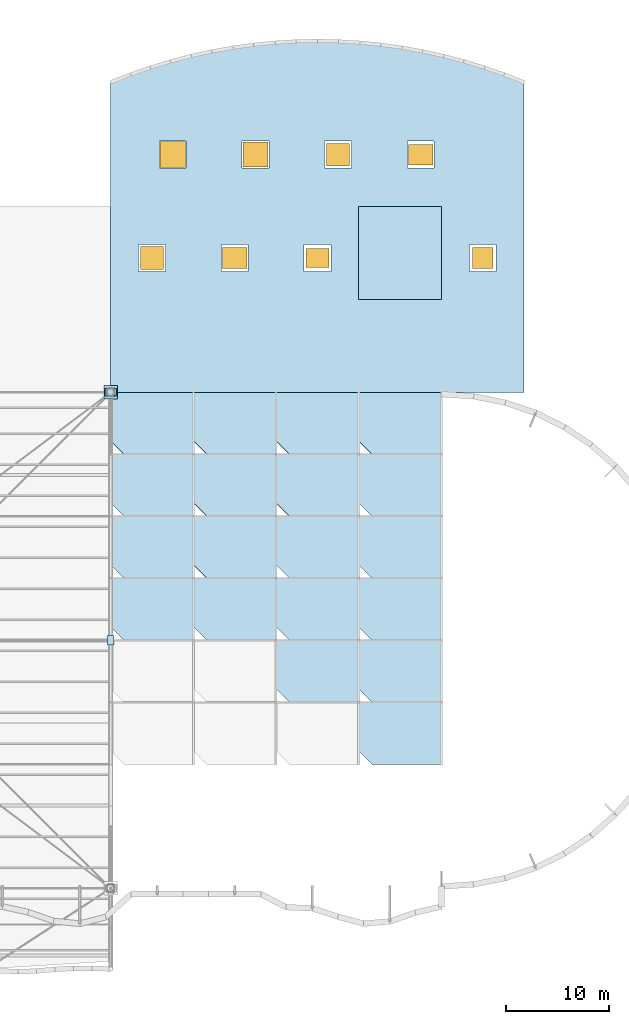
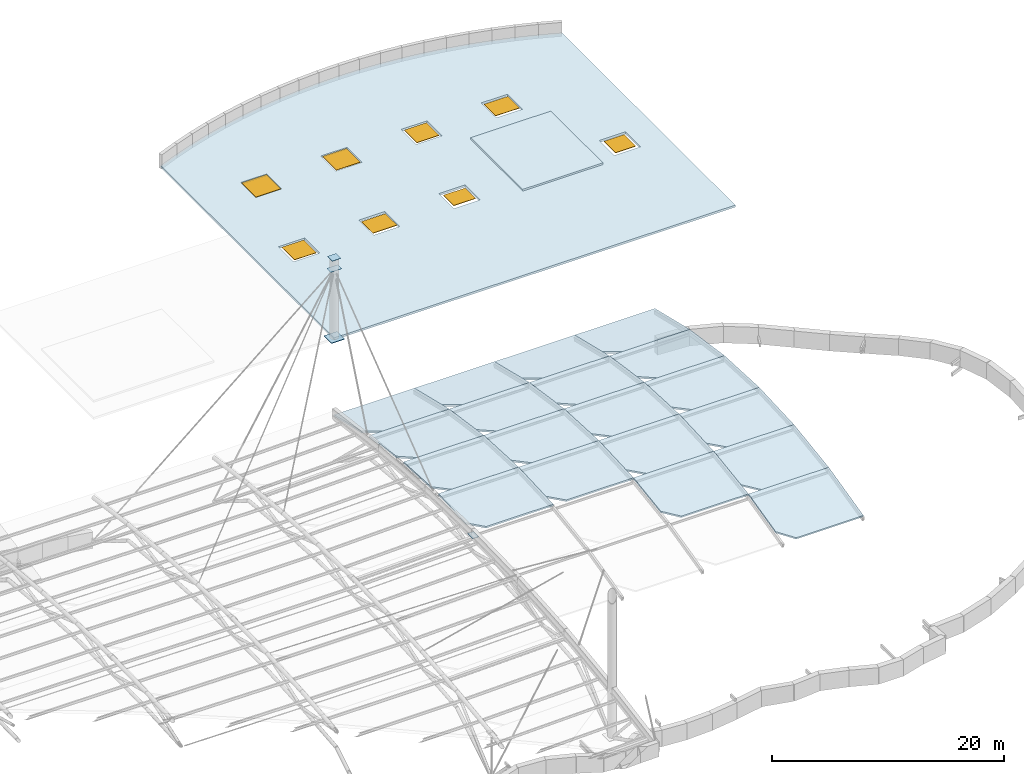
"""IFC4 building model written with IfcOpenShell, lengths in metres."""

from ifc_helpers import new_model, si_unit, direction, frame, origin, origin_with_axes, origin_2d, place, context, subcontext, project, spatial, polyline, rectangle, outline, extrude, material, layer, layer_set, type_object, element, fill, save


model = new_model("IFC4")

# Units and contexts
model_context = context("Model", 3, precision=1e-05, world=origin(), true_north=direction((0.0, 1.0)))
body_context = subcontext(model_context, "Body", "Model", "MODEL_VIEW")
ifc_project = project(units=[si_unit("LENGTHUNIT", "METRE"), si_unit("AREAUNIT", "SQUARE_METRE"), si_unit("VOLUMEUNIT", "CUBIC_METRE"), si_unit("PLANEANGLEUNIT", "RADIAN"), si_unit("MASSUNIT", "GRAM", prefix="KILO")], contexts=[model_context])

# Site, building, storey
site_placement = place(None, origin())
site = spatial("IfcSite", under=ifc_project, at=site_placement, CompositionType="ELEMENT")
building_placement = place(site_placement, origin())
building = spatial("IfcBuilding", under=site, at=building_placement, Name="Keelwater Ferry Terminal", CompositionType="ELEMENT")
storey_1_placement = place(building_placement, frame((0.0, 0.0, 27.89990234375)))
storey_1 = spatial("IfcBuildingStorey", under=building, at=storey_1_placement, Name="RF", CompositionType="ELEMENT", Elevation=27.89990234375)

# Plates
ifc_material_1 = material(Name="Steel S355", Category="steel")
ifc_layer_1 = layer(ifc_material_1, 0.06494140625)
ifc_layer_set_1 = layer_set([ifc_layer_1], Name="Steel S355")
plate_type_1 = type_object("IfcPlateType", Name="BP1 1300x1300x65", PredefinedType="USERDEFINED", material=ifc_layer_set_1)
plate_1_placement = place(storey_1_placement, frame((132.0, 90.0, -0.00048828125), z_axis=(0.0, 0.0, 1.0), x_axis=(1.0, 0.0, 0.0)))
element("IfcPlate", 1, at=plate_1_placement, inside=storey_1, type_object=plate_type_1, Name="Roof Mast ML4 Base Plate", ObjectType="GUSSET PLATE", PredefinedType="USERDEFINED", context=body_context, shape_type="SweptSolid", body=[
    extrude(rectangle(XDim=1.300048828125, YDim=1.300048828125, at=origin_2d()), origin(), (0.0, 0.0, 1.0), 0.06494140625),
])
ifc_material_2 = material(Name="Steel S355", Category="steel")
ifc_layer_2 = layer(ifc_material_2, 0.034912109375)
ifc_layer_set_2 = layer_set([ifc_layer_2], Name="Steel S355")
plate_type_2 = type_object("IfcPlateType", Name="CP1 840x840x35", PredefinedType="USERDEFINED", material=ifc_layer_set_2)
plate_2_placement = place(storey_1_placement, frame((132.0, 90.0, 8.46484375), z_axis=(0.0, 0.0, 1.0), x_axis=(1.0, 0.0, 0.0)))
element("IfcPlate", 2, at=plate_2_placement, inside=storey_1, type_object=plate_type_2, Name="Roof Mast ML4 Top Cap Plate", ObjectType="GUSSET PLATE", PredefinedType="USERDEFINED", context=body_context, shape_type="SweptSolid", body=[
    extrude(rectangle(XDim=0.840087890625, YDim=0.840087890625, at=origin_2d()), origin(), (0.0, 0.0, 1.0), 0.034912109375),
])
ifc_material_3 = material(Name="Steel S355", Category="steel")
ifc_layer_3 = layer(ifc_material_3, 0.030029296875)
ifc_layer_set_3 = layer_set([ifc_layer_3], Name="Steel S355")
plate_type_3 = type_object("IfcPlateType", Name="GP1 900x600x30", PredefinedType="USERDEFINED", material=ifc_layer_set_3)
plate_3_placement = place(storey_1_placement, frame((132.0, 66.0, -6.26513671875), z_axis=(0.0, 0.0, 1.0), x_axis=(0.0, 1.0, 0.0)))
element("IfcPlate", 3, at=plate_3_placement, inside=storey_1, type_object=plate_type_3, Name="Connection Gusset Plate 29", ObjectType="GUSSET PLATE", PredefinedType="USERDEFINED", context=body_context, shape_type="SweptSolid", body=[
    extrude(rectangle(XDim=0.89990234375, YDim=0.60009765625, at=origin_2d()), origin(), (0.0, 0.0, 1.0), 0.030029296875),
])
ifc_material_4 = material(Name="Steel S460", Category="steel")
ifc_layer_4 = layer(ifc_material_4, 0.034912109375)
ifc_layer_set_4 = layer_set([ifc_layer_4], Name="Steel S460")
plate_type_4 = type_object("IfcPlateType", Name="GP6 1100x700x35", PredefinedType="USERDEFINED", material=ifc_layer_set_4)
plate_4_placement = place(storey_1_placement, frame((132.0, 90.0, 7.28271484375), z_axis=(0.0, 0.0, 1.0), x_axis=(1.0, 0.0, 0.0)))
element("IfcPlate", 4, at=plate_4_placement, inside=storey_1, type_object=plate_type_4, Name="Roof Mast ML4 Stay Cable Collar Plate", ObjectType="GUSSET PLATE", PredefinedType="USERDEFINED", context=body_context, shape_type="SweptSolid", body=[
    extrude(rectangle(XDim=1.10009765625, YDim=0.699951171875, at=origin_2d()), origin(), (0.0, 0.0, 1.0), 0.034912109375),
])

# Slabs
ifc_material_5 = material(Name="Concrete C40/50", Category="concrete")
ifc_layer_5 = layer(ifc_material_5, 0.179931640625)
ifc_layer_set_5 = layer_set([ifc_layer_5], Name="Concrete C40/50")
slab_type_1 = type_object("IfcSlabType", Name="SL-R180 Roof Slab 180", PredefinedType="ROOF", material=ifc_layer_set_5)
slab_1_placement = place(storey_1_placement, frame((0.0, 0.0, 1.6201171875)))
element("IfcSlab", 5, at=slab_1_placement, inside=storey_1, type_object=slab_type_1, Name="Core C3 Lift Overrun Roof SL-RF-061", PredefinedType="ROOF", context=body_context, shape_type="SweptSolid", body=[
    extrude(outline(polyline([(156.0, 99.0), (164.0, 99.0), (164.0, 108.0), (156.0, 108.0), (156.0, 99.0)])), origin(), (0.0, 0.0, 1.0), 0.179931640625),
])
slab_2_placement = place(storey_1_placement, frame((133.2999966496989, 66.00865769221801, -5.968791669312662), z_axis=(1.861278395913996e-05, -0.048098290100079086, 0.9988426072925669), x_axis=(0.9999999998267821, 8.952430825918844e-07, -1.859124166194096e-05)))
element("IfcSlab", 6, at=slab_2_placement, inside=storey_1, type_object=slab_type_1, Name="V2 Vaulted Gallery Roof Panel SL-RF-122", PredefinedType="ROOF", context=body_context, shape_type="SweptSolid", body=[
    extrude(outline(polyline([(0.0, 0.0), (6.699999998839429, 7.093900933254753e-22), (6.699999997429084, 6.0069560506348365), (-1.300000001185173, 6.0069560506348365), (-1.3000000072070454, 1.3015255819820866), (0.0, 0.0)])), origin_with_axes(), (0.0, 0.0, 1.0), 0.18),
])
slab_3_placement = place(storey_1_placement, frame((133.30000335030113, 71.99134230778199, -5.679791669312664), z_axis=(-1.8612783959143527e-05, 0.04809829010007909, 0.9988426072925669), x_axis=(0.9999999998267821, 8.952430825920561e-07, 1.859124166194452e-05)))
element("IfcSlab", 7, at=slab_3_placement, inside=storey_1, type_object=slab_type_1, Name="V2 Vaulted Gallery Roof Panel SL-RF-123", PredefinedType="ROOF", context=body_context, shape_type="SweptSolid", body=[
    extrude(outline(polyline([(0.0, 0.0), (6.699999998839429, -7.093900933254753e-22), (6.699999997429084, 6.0069560506348365), (-1.300000001185173, 6.0069560506348365), (-1.3000000072070454, 1.3015255819820866), (0.0, 0.0)])), origin_with_axes(), (0.0, 0.0, 1.0), 0.18),
])
slab_4_placement = place(storey_1_placement, frame((133.3000012990156, 77.97425823118917, -5.967149828337838), z_axis=(-7.2167533729483795e-06, 0.1430098267268767, 0.9897212685435568), x_axis=(0.9999999999739593, 1.0320666494228266e-06, 7.142574303226461e-06)))
element("IfcSlab", 8, at=slab_4_placement, inside=storey_1, type_object=slab_type_1, Name="V2 Vaulted Gallery Roof Panel SL-RF-124", PredefinedType="ROOF", context=body_context, shape_type="SweptSolid", body=[
    extrude(outline(polyline([(0.0, 0.0), (6.699999999825516, 0.0), (6.699999999613492, 6.062317131191411), (-1.3000000001781826, 6.062317131191411), (-1.3000000010834831, 1.3135234965654794), (0.0, 0.0)])), origin_with_axes(), (0.0, 0.0, 1.0), 0.18),
])
slab_5_placement = place(storey_1_placement, frame((133.3000011342869, 83.95788328969783, -6.831003379144622), z_axis=(-6.301593770838212e-06, 0.23398172390090066, 0.9722409952479131), x_axis=(0.999999999980145, 1.4744577738531776e-06, 6.126667799529439e-06)))
element("IfcSlab", 9, at=slab_5_placement, inside=storey_1, type_object=slab_type_1, Name="V2 Vaulted Gallery Roof Panel SL-RF-125", PredefinedType="ROOF", context=body_context, shape_type="SweptSolid", body=[
    extrude(outline(polyline([(0.0, 0.0), (6.69999999986696, 0.0), (6.6999999997053, 6.1713155809229105), (-1.3000000001358594, 6.1713155809229105), (-1.300000000826115, 1.337149573429815), (0.0, 0.0)])), origin_with_axes(), (0.0, 0.0, 1.0), 0.18),
])
slab_6_placement = place(storey_1_placement, frame((141.2999966496989, 66.00865769221801, -5.968791669312662), z_axis=(1.861278395913996e-05, -0.048098290100079086, 0.9988426072925669), x_axis=(0.9999999998267821, 8.952430825918844e-07, -1.859124166194096e-05)))
element("IfcSlab", 10, at=slab_6_placement, inside=storey_1, type_object=slab_type_1, Name="V2 Vaulted Gallery Roof Panel SL-RF-128", PredefinedType="ROOF", context=body_context, shape_type="SweptSolid", body=[
    extrude(outline(polyline([(0.0, 0.0), (6.699999998839429, 7.093900933254753e-22), (6.699999997429084, 6.0069560506348365), (-1.300000001185173, 6.0069560506348365), (-1.3000000072070454, 1.3015255819820866), (0.0, 0.0)])), origin_with_axes(), (0.0, 0.0, 1.0), 0.18),
])
slab_7_placement = place(storey_1_placement, frame((141.30000335030113, 71.99134230778199, -5.679791669312664), z_axis=(-1.8612783959143527e-05, 0.04809829010007909, 0.9988426072925669), x_axis=(0.9999999998267821, 8.952430825920561e-07, 1.859124166194452e-05)))
element("IfcSlab", 11, at=slab_7_placement, inside=storey_1, type_object=slab_type_1, Name="V2 Vaulted Gallery Roof Panel SL-RF-129", PredefinedType="ROOF", context=body_context, shape_type="SweptSolid", body=[
    extrude(outline(polyline([(0.0, 0.0), (6.699999998839429, -7.093900933254753e-22), (6.699999997429084, 6.0069560506348365), (-1.300000001185173, 6.0069560506348365), (-1.3000000072070454, 1.3015255819820866), (0.0, 0.0)])), origin_with_axes(), (0.0, 0.0, 1.0), 0.18),
])
slab_8_placement = place(storey_1_placement, frame((141.3000012990156, 77.97425823118917, -5.967149828337838), z_axis=(-7.2167533729483795e-06, 0.1430098267268767, 0.9897212685435568), x_axis=(0.9999999999739593, 1.0320666494228266e-06, 7.142574303226461e-06)))
element("IfcSlab", 12, at=slab_8_placement, inside=storey_1, type_object=slab_type_1, Name="V2 Vaulted Gallery Roof Panel SL-RF-130", PredefinedType="ROOF", context=body_context, shape_type="SweptSolid", body=[
    extrude(outline(polyline([(0.0, 0.0), (6.699999999825516, 0.0), (6.699999999613492, 6.062317131191411), (-1.3000000001781826, 6.062317131191411), (-1.3000000010834831, 1.3135234965654794), (0.0, 0.0)])), origin_with_axes(), (0.0, 0.0, 1.0), 0.18),
])
slab_9_placement = place(storey_1_placement, frame((141.3000011342869, 83.95788328969783, -6.831003379144622), z_axis=(-6.301593770838212e-06, 0.23398172390090066, 0.9722409952479131), x_axis=(0.999999999980145, 1.4744577738531776e-06, 6.126667799529439e-06)))
element("IfcSlab", 13, at=slab_9_placement, inside=storey_1, type_object=slab_type_1, Name="V2 Vaulted Gallery Roof Panel SL-RF-131", PredefinedType="ROOF", context=body_context, shape_type="SweptSolid", body=[
    extrude(outline(polyline([(0.0, 0.0), (6.69999999986696, 0.0), (6.6999999997053, 6.1713155809229105), (-1.3000000001358594, 6.1713155809229105), (-1.300000000826115, 1.337149573429815), (0.0, 0.0)])), origin_with_axes(), (0.0, 0.0, 1.0), 0.18),
])
slab_10_placement = place(storey_1_placement, frame((149.29999870098442, 60.02574176881084, -6.834149828337839), z_axis=(7.216753372769572e-06, -0.14300982672687687, 0.9897212685435568), x_axis=(0.9999999999739593, 1.0320666493972566e-06, -7.142574303049491e-06)))
element("IfcSlab", 14, at=slab_10_placement, inside=storey_1, type_object=slab_type_1, Name="V2 Vaulted Gallery Roof Panel SL-RF-133", PredefinedType="ROOF", context=body_context, shape_type="SweptSolid", body=[
    extrude(outline(polyline([(0.0, 0.0), (6.699999999825516, 0.0), (6.699999999613491, 6.062317131191412), (-1.3000000001781828, 6.062317131191412), (-1.3000000010834831, 1.313523496565479), (0.0, 0.0)])), origin_with_axes(), (0.0, 0.0, 1.0), 0.18),
])
slab_11_placement = place(storey_1_placement, frame((149.2999966496989, 66.00865769221801, -5.968791669312662), z_axis=(1.861278395913996e-05, -0.048098290100079086, 0.9988426072925669), x_axis=(0.9999999998267821, 8.952430825918844e-07, -1.859124166194096e-05)))
element("IfcSlab", 15, at=slab_11_placement, inside=storey_1, type_object=slab_type_1, Name="V2 Vaulted Gallery Roof Panel SL-RF-134", PredefinedType="ROOF", context=body_context, shape_type="SweptSolid", body=[
    extrude(outline(polyline([(0.0, 0.0), (6.699999998839429, 7.093900933254753e-22), (6.699999997429084, 6.0069560506348365), (-1.300000001185173, 6.0069560506348365), (-1.3000000072070454, 1.3015255819820866), (0.0, 0.0)])), origin_with_axes(), (0.0, 0.0, 1.0), 0.18),
])
slab_12_placement = place(storey_1_placement, frame((149.30000335030113, 71.99134230778199, -5.679791669312664), z_axis=(-1.8612783959143527e-05, 0.04809829010007909, 0.9988426072925669), x_axis=(0.9999999998267821, 8.952430825920561e-07, 1.859124166194452e-05)))
element("IfcSlab", 16, at=slab_12_placement, inside=storey_1, type_object=slab_type_1, Name="V2 Vaulted Gallery Roof Panel SL-RF-135", PredefinedType="ROOF", context=body_context, shape_type="SweptSolid", body=[
    extrude(outline(polyline([(0.0, 0.0), (6.699999998839429, -7.093900933254753e-22), (6.699999997429084, 6.0069560506348365), (-1.300000001185173, 6.0069560506348365), (-1.3000000072070454, 1.3015255819820866), (0.0, 0.0)])), origin_with_axes(), (0.0, 0.0, 1.0), 0.18),
])
slab_13_placement = place(storey_1_placement, frame((149.3000012990156, 77.97425823118917, -5.967149828337838), z_axis=(-7.2167533729483795e-06, 0.1430098267268767, 0.9897212685435568), x_axis=(0.9999999999739593, 1.0320666494228266e-06, 7.142574303226461e-06)))
element("IfcSlab", 17, at=slab_13_placement, inside=storey_1, type_object=slab_type_1, Name="V2 Vaulted Gallery Roof Panel SL-RF-136", PredefinedType="ROOF", context=body_context, shape_type="SweptSolid", body=[
    extrude(outline(polyline([(0.0, 0.0), (6.699999999825516, 0.0), (6.699999999613492, 6.062317131191411), (-1.3000000001781826, 6.062317131191411), (-1.3000000010834831, 1.3135234965654794), (0.0, 0.0)])), origin_with_axes(), (0.0, 0.0, 1.0), 0.18),
])
slab_14_placement = place(storey_1_placement, frame((149.3000011342869, 83.95788328969783, -6.831003379144622), z_axis=(-6.301593770838212e-06, 0.23398172390090066, 0.9722409952479131), x_axis=(0.999999999980145, 1.4744577738531776e-06, 6.126667799529439e-06)))
element("IfcSlab", 18, at=slab_14_placement, inside=storey_1, type_object=slab_type_1, Name="V2 Vaulted Gallery Roof Panel SL-RF-137", PredefinedType="ROOF", context=body_context, shape_type="SweptSolid", body=[
    extrude(outline(polyline([(0.0, 0.0), (6.69999999986696, 0.0), (6.6999999997053, 6.1713155809229105), (-1.3000000001358594, 6.1713155809229105), (-1.300000000826115, 1.337149573429815), (0.0, 0.0)])), origin_with_axes(), (0.0, 0.0, 1.0), 0.18),
])
slab_15_placement = place(storey_1_placement, frame((157.29999886571312, 54.04211671030216, -8.275003379144621), z_axis=(6.301593770854514e-06, -0.2339817239009008, 0.9722409952479132), x_axis=(0.999999999980145, 1.4744577738569928e-06, -6.126667799545288e-06)))
element("IfcSlab", 19, at=slab_15_placement, inside=storey_1, type_object=slab_type_1, Name="V2 Vaulted Gallery Roof Panel SL-RF-138", PredefinedType="ROOF", context=body_context, shape_type="SweptSolid", body=[
    extrude(outline(polyline([(0.0, 0.0), (6.69999999986696, -1.4187801866509507e-21), (6.6999999997053, 6.171315580922911), (-1.3000000001358594, 6.171315580922911), (-1.300000000826115, 1.337149573429815), (0.0, 0.0)])), origin_with_axes(), (0.0, 0.0, 1.0), 0.18),
])
slab_16_placement = place(storey_1_placement, frame((157.29999870098442, 60.02574176881084, -6.834149828337839), z_axis=(7.216753372769572e-06, -0.14300982672687687, 0.9897212685435568), x_axis=(0.9999999999739593, 1.0320666493972566e-06, -7.142574303049491e-06)))
element("IfcSlab", 20, at=slab_16_placement, inside=storey_1, type_object=slab_type_1, Name="V2 Vaulted Gallery Roof Panel SL-RF-139", PredefinedType="ROOF", context=body_context, shape_type="SweptSolid", body=[
    extrude(outline(polyline([(0.0, 0.0), (6.699999999825516, 0.0), (6.699999999613491, 6.062317131191412), (-1.3000000001781828, 6.062317131191412), (-1.3000000010834831, 1.313523496565479), (0.0, 0.0)])), origin_with_axes(), (0.0, 0.0, 1.0), 0.18),
])
slab_17_placement = place(storey_1_placement, frame((157.2999966496989, 66.00865769221801, -5.968791669312662), z_axis=(1.861278395913996e-05, -0.048098290100079086, 0.9988426072925669), x_axis=(0.9999999998267821, 8.952430825918844e-07, -1.859124166194096e-05)))
element("IfcSlab", 21, at=slab_17_placement, inside=storey_1, type_object=slab_type_1, Name="V2 Vaulted Gallery Roof Panel SL-RF-140", PredefinedType="ROOF", context=body_context, shape_type="SweptSolid", body=[
    extrude(outline(polyline([(0.0, 0.0), (6.699999998839429, 7.093900933254753e-22), (6.699999997429084, 6.0069560506348365), (-1.300000001185173, 6.0069560506348365), (-1.3000000072070454, 1.3015255819820866), (0.0, 0.0)])), origin_with_axes(), (0.0, 0.0, 1.0), 0.18),
])
slab_18_placement = place(storey_1_placement, frame((157.30000335030113, 71.99134230778199, -5.679791669312664), z_axis=(-1.8612783959143527e-05, 0.04809829010007909, 0.9988426072925669), x_axis=(0.9999999998267821, 8.952430825920561e-07, 1.859124166194452e-05)))
element("IfcSlab", 22, at=slab_18_placement, inside=storey_1, type_object=slab_type_1, Name="V2 Vaulted Gallery Roof Panel SL-RF-141", PredefinedType="ROOF", context=body_context, shape_type="SweptSolid", body=[
    extrude(outline(polyline([(0.0, 0.0), (6.699999998839429, -7.093900933254753e-22), (6.699999997429084, 6.0069560506348365), (-1.300000001185173, 6.0069560506348365), (-1.3000000072070454, 1.3015255819820866), (0.0, 0.0)])), origin_with_axes(), (0.0, 0.0, 1.0), 0.18),
])
slab_19_placement = place(storey_1_placement, frame((157.3000012990156, 77.97425823118917, -5.967149828337838), z_axis=(-7.2167533729483795e-06, 0.1430098267268767, 0.9897212685435568), x_axis=(0.9999999999739593, 1.0320666494228266e-06, 7.142574303226461e-06)))
element("IfcSlab", 23, at=slab_19_placement, inside=storey_1, type_object=slab_type_1, Name="V2 Vaulted Gallery Roof Panel SL-RF-142", PredefinedType="ROOF", context=body_context, shape_type="SweptSolid", body=[
    extrude(outline(polyline([(0.0, 0.0), (6.699999999825516, 0.0), (6.699999999613492, 6.062317131191411), (-1.3000000001781826, 6.062317131191411), (-1.3000000010834831, 1.3135234965654794), (0.0, 0.0)])), origin_with_axes(), (0.0, 0.0, 1.0), 0.18),
])
slab_20_placement = place(storey_1_placement, frame((157.3000011342869, 83.95788328969783, -6.831003379144622), z_axis=(-6.301593770838212e-06, 0.23398172390090066, 0.9722409952479131), x_axis=(0.999999999980145, 1.4744577738531776e-06, 6.126667799529439e-06)))
element("IfcSlab", 24, at=slab_20_placement, inside=storey_1, type_object=slab_type_1, Name="V2 Vaulted Gallery Roof Panel SL-RF-143", PredefinedType="ROOF", context=body_context, shape_type="SweptSolid", body=[
    extrude(outline(polyline([(0.0, 0.0), (6.69999999986696, 0.0), (6.6999999997053, 6.1713155809229105), (-1.3000000001358594, 6.1713155809229105), (-1.300000000826115, 1.337149573429815), (0.0, 0.0)])), origin_with_axes(), (0.0, 0.0, 1.0), 0.18),
])

# Slab, openings
ifc_material_6 = material(Name="Concrete C40/50", Category="concrete")
ifc_layer_6 = layer(ifc_material_6, 0.219970703125)
ifc_layer_set_6 = layer_set([ifc_layer_6], Name="Concrete C40/50")
slab_type_2 = type_object("IfcSlabType", Name="SL-R220 Roof Slab 220", PredefinedType="ROOF", material=ifc_layer_set_6)
slab_21_placement = place(storey_1_placement, frame((0.0, 0.0, -0.219970703125)))
slab_21 = element("IfcSlab", 25, at=slab_21_placement, inside=storey_1, type_object=slab_type_2, Name="V5 Harbour Master Crown Roof Slab SL-RF-059", PredefinedType="ROOF", context=body_context, shape_type="SweptSolid", body=[
    extrude(outline(polyline([(132.0, 90.0), (172.0, 90.0), (172.0, 120.0), (170.090087890625, 120.751953125), (168.152099609375, 121.427978515625), (166.18798828125, 122.027099609375), (164.202880859375, 122.548095703125), (162.197998046875, 122.989990234375), (160.177978515625, 123.35302734375), (158.14404296875, 123.635986328125), (156.10205078125, 123.837890625), (154.052001953125, 123.958984375), (152.0, 124.0), (149.947998046875, 123.958984375), (147.89794921875, 123.837890625), (145.85595703125, 123.635986328125), (143.822021484375, 123.35302734375), (141.802001953125, 122.989990234375), (139.797119140625, 122.548095703125), (137.81201171875, 122.027099609375), (135.847900390625, 121.427978515625), (133.909912109375, 120.751953125), (132.0, 120.0), (132.0, 90.0)]), holes=[polyline([(134.699951171875, 101.699951171875), (137.300048828125, 101.699951171875), (137.300048828125, 104.300048828125), (134.699951171875, 104.300048828125), (134.699951171875, 101.699951171875)]), polyline([(142.699951171875, 101.699951171875), (145.300048828125, 101.699951171875), (145.300048828125, 104.300048828125), (142.699951171875, 104.300048828125), (142.699951171875, 101.699951171875)]), polyline([(150.699951171875, 101.699951171875), (153.300048828125, 101.699951171875), (153.300048828125, 104.300048828125), (150.699951171875, 104.300048828125), (150.699951171875, 101.699951171875)]), polyline([(166.699951171875, 101.699951171875), (169.300048828125, 101.699951171875), (169.300048828125, 104.300048828125), (166.699951171875, 104.300048828125), (166.699951171875, 101.699951171875)]), polyline([(136.699951171875, 111.699951171875), (139.300048828125, 111.699951171875), (139.300048828125, 114.300048828125), (136.699951171875, 114.300048828125), (136.699951171875, 111.699951171875)]), polyline([(144.699951171875, 111.699951171875), (147.300048828125, 111.699951171875), (147.300048828125, 114.300048828125), (144.699951171875, 114.300048828125), (144.699951171875, 111.699951171875)]), polyline([(152.699951171875, 111.699951171875), (155.300048828125, 111.699951171875), (155.300048828125, 114.300048828125), (152.699951171875, 114.300048828125), (152.699951171875, 111.699951171875)]), polyline([(160.699951171875, 111.699951171875), (163.300048828125, 111.699951171875), (163.300048828125, 114.300048828125), (160.699951171875, 114.300048828125), (160.699951171875, 111.699951171875)])]), origin(), (0.0, 0.0, 1.0), 0.219970703125),
])
opening_1_placement = place(slab_21_placement, frame((136.0, 103.0, 0.0)))
opening_1 = element("IfcOpeningElement", 26, at=opening_1_placement, cuts=slab_21, Name="Opening SK-03", PredefinedType="OPENING", context=body_context, shape_type="SweptSolid", body=[
    extrude(rectangle(XDim=2.199951171875, YDim=2.199951171875, at=origin_2d()), origin(), (0.0, 0.0, 1.0), 0.219970703125),
])
opening_2_placement = place(slab_21_placement, frame((144.0, 103.0, 0.0)))
opening_2 = element("IfcOpeningElement", 27, at=opening_2_placement, cuts=slab_21, Name="Opening SK-04", PredefinedType="OPENING", context=body_context, shape_type="SweptSolid", body=[
    extrude(rectangle(XDim=2.39990234375, YDim=2.0, at=origin_2d()), origin(), (0.0, 0.0, 1.0), 0.219970703125),
])
opening_3_placement = place(slab_21_placement, frame((152.0, 103.0, 0.0)))
opening_3 = element("IfcOpeningElement", 28, at=opening_3_placement, cuts=slab_21, Name="Opening SK-05", PredefinedType="OPENING", context=body_context, shape_type="SweptSolid", body=[
    extrude(rectangle(XDim=2.199951171875, YDim=1.800048828125, at=origin_2d()), origin(), (0.0, 0.0, 1.0), 0.219970703125),
])
opening_4_placement = place(slab_21_placement, frame((168.0, 103.0, 0.0)))
opening_4 = element("IfcOpeningElement", 29, at=opening_4_placement, cuts=slab_21, Name="Opening SK-06", PredefinedType="OPENING", context=body_context, shape_type="SweptSolid", body=[
    extrude(rectangle(XDim=2.0, YDim=2.0, at=origin_2d()), origin(), (0.0, 0.0, 1.0), 0.219970703125),
])
opening_5_placement = place(slab_21_placement, frame((138.0, 113.0, 0.0)))
opening_5 = element("IfcOpeningElement", 30, at=opening_5_placement, cuts=slab_21, Name="Opening SK-01", PredefinedType="OPENING", context=body_context, shape_type="SweptSolid", body=[
    extrude(rectangle(XDim=2.5, YDim=2.5, at=origin_2d()), origin(), (0.0, 0.0, 1.0), 0.219970703125),
])
opening_6_placement = place(slab_21_placement, frame((146.0, 113.0, 0.0)))
opening_6 = element("IfcOpeningElement", 31, at=opening_6_placement, cuts=slab_21, Name="Opening SK-02", PredefinedType="OPENING", context=body_context, shape_type="SweptSolid", body=[
    extrude(rectangle(XDim=2.39990234375, YDim=2.39990234375, at=origin_2d()), origin(), (0.0, 0.0, 1.0), 0.219970703125),
])
opening_7_placement = place(slab_21_placement, frame((154.0, 113.0, 0.0)))
opening_7 = element("IfcOpeningElement", 32, at=opening_7_placement, cuts=slab_21, Name="Opening SK-03", PredefinedType="OPENING", context=body_context, shape_type="SweptSolid", body=[
    extrude(rectangle(XDim=2.199951171875, YDim=2.199951171875, at=origin_2d()), origin(), (0.0, 0.0, 1.0), 0.219970703125),
])
opening_8_placement = place(slab_21_placement, frame((162.0, 113.0, 0.0)))
opening_8 = element("IfcOpeningElement", 33, at=opening_8_placement, cuts=slab_21, Name="Opening SK-04", PredefinedType="OPENING", context=body_context, shape_type="SweptSolid", body=[
    extrude(rectangle(XDim=2.39990234375, YDim=2.0, at=origin_2d()), origin(), (0.0, 0.0, 1.0), 0.219970703125),
])

# Storey
storey_2_placement = place(building_placement, frame((0.0, 0.0, 23.699951171875)))
storey_2 = spatial("IfcBuildingStorey", under=building, at=storey_2_placement, Name="L05", CompositionType="ELEMENT", Elevation=23.699951171875)

# Window
ifc_material_7 = material(Name="Triple laminated safety skylight glass", Category="glass")
window_type_1 = type_object("IfcWindowType", Name="SK-01 Roof Skylight 2500x2500", PartitioningType="SINGLE_PANEL", PredefinedType="SKYLIGHT", material=ifc_material_7)
window_1_placement = place(opening_5_placement, frame((0.0, 0.0, 0.169921875)))
window_1 = element("IfcWindow", 34, at=window_1_placement, inside=storey_2, type_object=window_type_1, Name="Roof Skylight SK-13", OverallHeight=2.5, OverallWidth=2.5, PartitioningType="SINGLE_PANEL", PredefinedType="SKYLIGHT", context=body_context, shape_type="SweptSolid", body=[
    extrude(rectangle(XDim=2.5, YDim=2.5, at=origin_2d()), origin(), (0.0, 0.0, 1.0), 0.050048828125),
])

fill(opening_5, window_1)

ifc_material_8 = material(Name="Triple laminated safety skylight glass", Category="glass")
window_type_2 = type_object("IfcWindowType", Name="SK-02 Roof Skylight 2400x2400", PartitioningType="SINGLE_PANEL", PredefinedType="SKYLIGHT", material=ifc_material_8)
window_2_placement = place(opening_6_placement, frame((0.0, 0.0, 0.169921875)))
window_2 = element("IfcWindow", 35, at=window_2_placement, inside=storey_2, type_object=window_type_2, Name="Roof Skylight SK-14", OverallHeight=2.39990234375, OverallWidth=2.39990234375, PartitioningType="SINGLE_PANEL", PredefinedType="SKYLIGHT", context=body_context, shape_type="SweptSolid", body=[
    extrude(rectangle(XDim=2.39990234375, YDim=2.39990234375, at=origin_2d()), origin(), (0.0, 0.0, 1.0), 0.050048828125),
])

fill(opening_6, window_2)

ifc_material_9 = material(Name="Triple laminated safety skylight glass", Category="glass")
window_type_3 = type_object("IfcWindowType", Name="SK-03 Roof Skylight 2200x2200", PartitioningType="SINGLE_PANEL", PredefinedType="SKYLIGHT", material=ifc_material_9)
window_3_placement = place(opening_1_placement, frame((0.0, 0.0, 0.169921875)))
window_3 = element("IfcWindow", 36, at=window_3_placement, inside=storey_2, type_object=window_type_3, Name="Roof Skylight SK-09", OverallHeight=2.199951171875, OverallWidth=2.199951171875, PartitioningType="SINGLE_PANEL", PredefinedType="SKYLIGHT", context=body_context, shape_type="SweptSolid", body=[
    extrude(rectangle(XDim=2.199951171875, YDim=2.199951171875, at=origin_2d()), origin(), (0.0, 0.0, 1.0), 0.050048828125),
])

fill(opening_1, window_3)

window_4_placement = place(opening_7_placement, frame((0.0, 0.0, 0.169921875)))
window_4 = element("IfcWindow", 37, at=window_4_placement, inside=storey_2, type_object=window_type_3, Name="Roof Skylight SK-15", OverallHeight=2.199951171875, OverallWidth=2.199951171875, PartitioningType="SINGLE_PANEL", PredefinedType="SKYLIGHT", context=body_context, shape_type="SweptSolid", body=[
    extrude(rectangle(XDim=2.199951171875, YDim=2.199951171875, at=origin_2d()), origin(), (0.0, 0.0, 1.0), 0.050048828125),
])

fill(opening_7, window_4)

ifc_material_10 = material(Name="Triple laminated safety skylight glass", Category="glass")
window_type_4 = type_object("IfcWindowType", Name="SK-04 Roof Skylight 2400x2000", PartitioningType="SINGLE_PANEL", PredefinedType="SKYLIGHT", material=ifc_material_10)
window_5_placement = place(opening_2_placement, frame((0.0, 0.0, 0.169921875)))
window_5 = element("IfcWindow", 38, at=window_5_placement, inside=storey_2, type_object=window_type_4, Name="Roof Skylight SK-10", OverallHeight=2.0, OverallWidth=2.39990234375, PartitioningType="SINGLE_PANEL", PredefinedType="SKYLIGHT", context=body_context, shape_type="SweptSolid", body=[
    extrude(rectangle(XDim=2.39990234375, YDim=2.0, at=origin_2d()), origin(), (0.0, 0.0, 1.0), 0.050048828125),
])

fill(opening_2, window_5)

window_6_placement = place(opening_8_placement, frame((0.0, 0.0, 0.169921875)))
window_6 = element("IfcWindow", 39, at=window_6_placement, inside=storey_2, type_object=window_type_4, Name="Roof Skylight SK-16", OverallHeight=2.0, OverallWidth=2.39990234375, PartitioningType="SINGLE_PANEL", PredefinedType="SKYLIGHT", context=body_context, shape_type="SweptSolid", body=[
    extrude(rectangle(XDim=2.39990234375, YDim=2.0, at=origin_2d()), origin(), (0.0, 0.0, 1.0), 0.050048828125),
])

fill(opening_8, window_6)

ifc_material_11 = material(Name="Triple laminated safety skylight glass", Category="glass")
window_type_5 = type_object("IfcWindowType", Name="SK-05 Roof Skylight 2200x1800", PartitioningType="SINGLE_PANEL", PredefinedType="SKYLIGHT", material=ifc_material_11)
window_7_placement = place(opening_3_placement, frame((0.0, 0.0, 0.169921875)))
window_7 = element("IfcWindow", 40, at=window_7_placement, inside=storey_2, type_object=window_type_5, Name="Roof Skylight SK-11", OverallHeight=1.800048828125, OverallWidth=2.199951171875, PartitioningType="SINGLE_PANEL", PredefinedType="SKYLIGHT", context=body_context, shape_type="SweptSolid", body=[
    extrude(rectangle(XDim=2.199951171875, YDim=1.800048828125, at=origin_2d()), origin(), (0.0, 0.0, 1.0), 0.050048828125),
])

fill(opening_3, window_7)

ifc_material_12 = material(Name="Triple laminated safety skylight glass", Category="glass")
window_type_6 = type_object("IfcWindowType", Name="SK-06 Roof Skylight 2000x2000", PartitioningType="SINGLE_PANEL", PredefinedType="SKYLIGHT", material=ifc_material_12)
window_8_placement = place(opening_4_placement, frame((0.0, 0.0, 0.169921875)))
window_8 = element("IfcWindow", 41, at=window_8_placement, inside=storey_2, type_object=window_type_6, Name="Roof Skylight SK-12", OverallHeight=2.0, OverallWidth=2.0, PartitioningType="SINGLE_PANEL", PredefinedType="SKYLIGHT", context=body_context, shape_type="SweptSolid", body=[
    extrude(rectangle(XDim=2.0, YDim=2.0, at=origin_2d()), origin(), (0.0, 0.0, 1.0), 0.050048828125),
])

fill(opening_4, window_8)

save(model, "model.ifc")
